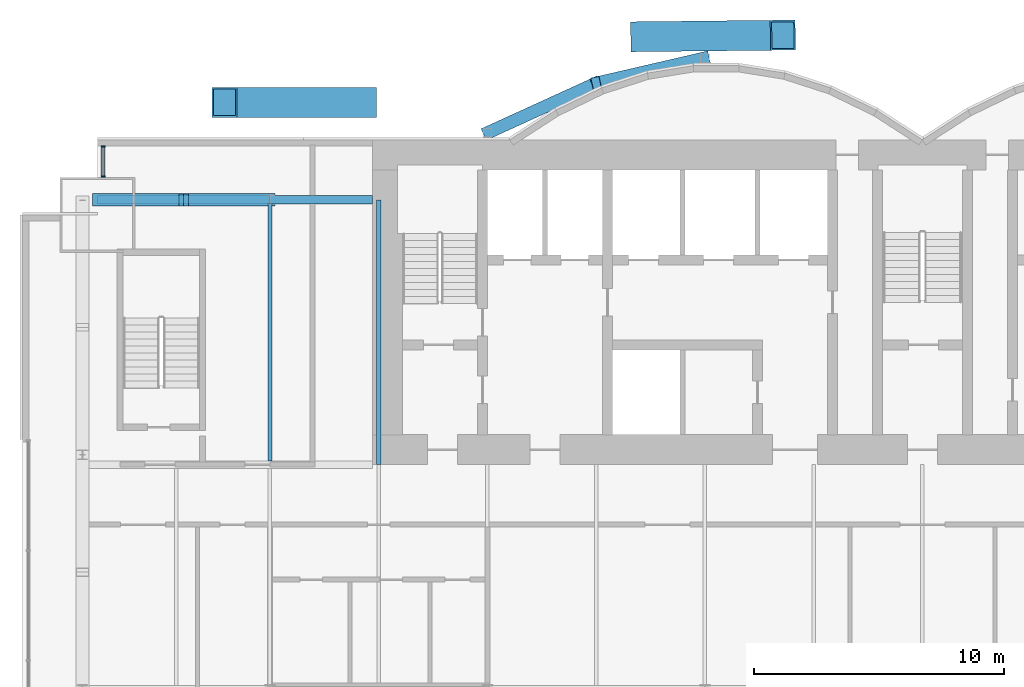
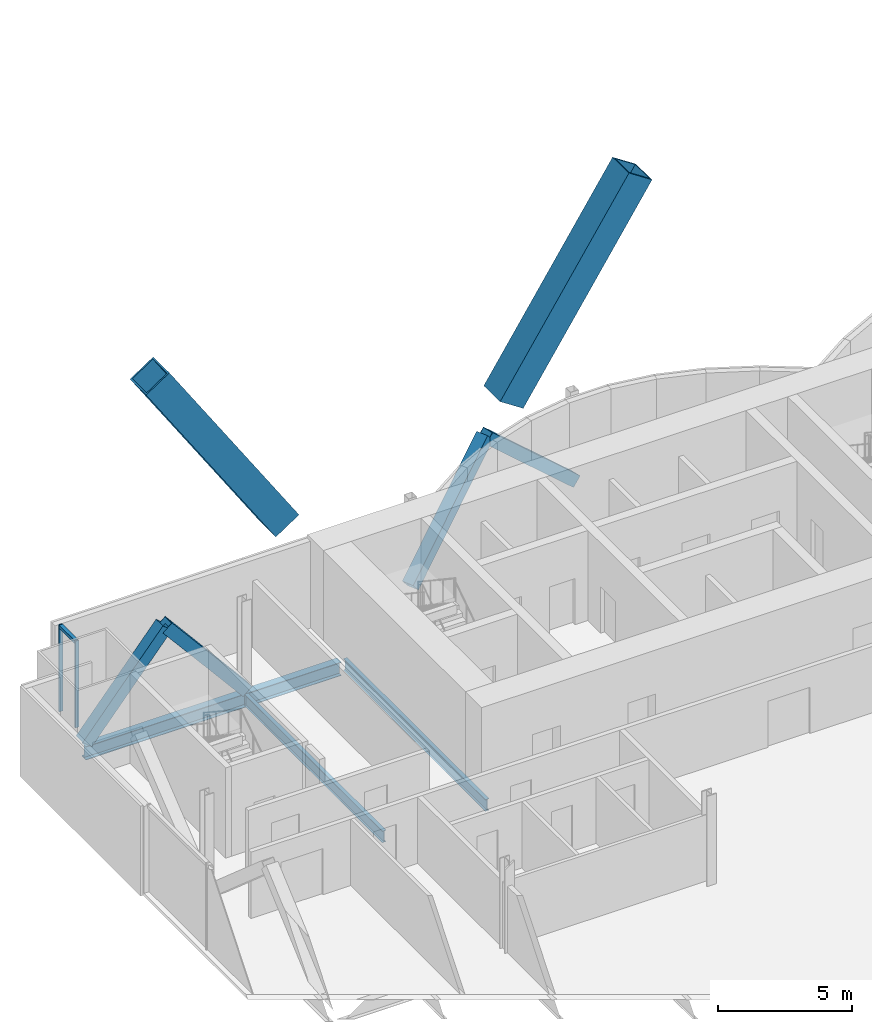
# One storey, part 10 of 21: 9 members, 4 beams, 1 element without a shape of its own.
"""IFC4 building model written with IfcOpenShell, lengths in metres."""

from ifc_helpers import new_model, si_unit, direction, frame, origin, origin_2d, place, context, subcontext, project, spatial, rectangle, hollow_rectangle, i_section, extrude, material, material_profile, profile_set, type_object, element, aggregate, save


model = new_model("IFC4")

# Units and contexts
model_context = context("Model", 3, precision=1e-05, world=origin(), true_north=direction((0.0, 1.0)))
body_context = subcontext(model_context, "Body", "Model", "MODEL_VIEW")
ifc_project = project(units=[si_unit("LENGTHUNIT", "METRE"), si_unit("AREAUNIT", "SQUARE_METRE"), si_unit("VOLUMEUNIT", "CUBIC_METRE"), si_unit("PLANEANGLEUNIT", "RADIAN"), si_unit("MASSUNIT", "GRAM", prefix="KILO")], contexts=[model_context])

# Site, building, storey
site_placement = place(None, origin())
site = spatial("IfcSite", under=ifc_project, at=site_placement, CompositionType="ELEMENT")
building_placement = place(site_placement, origin())
building = spatial("IfcBuilding", under=site, at=building_placement, Name="Bicima Exchange Tower", CompositionType="ELEMENT")
storey_placement = place(building_placement, frame((0.0, 0.0, 118.60009765625)))
storey = spatial("IfcBuildingStorey", under=building, at=storey_placement, Name="L25", CompositionType="ELEMENT", Elevation=118.60009765625)

# Members
ifc_material_1 = material(Name="Steel ASTM A572 Gr 50", Category="steel")
ifc_material_profile_1 = material_profile(ifc_material_1, hollow_rectangle(XDim=1.199951171875, YDim=1.199951171875, WallThickness=0.070068359375, at=origin_2d()))
ifc_profile_set_1 = profile_set([ifc_material_profile_1], Name="Steel ASTM A572 Gr 50")
member_type_1 = type_object("IfcMemberType", Name="Exo mega brace BOX 1200x1200x70", PredefinedType="BRACE", material=ifc_profile_set_1)
member_1_placement = place(storey_placement, frame((-11.166748046875, 4.125, 4.066650390625), z_axis=(0.552803101452, 0.006091227878, 0.833289642302), x_axis=(-0.011018133066, 0.99993929853, 0.0)))
element("IfcMember", 1, at=member_1_placement, inside=storey, type_object=member_type_1, Name="Exo mega brace rear", PredefinedType="BRACE", context=body_context, shape_type="SweptSolid", body=[
    extrude(hollow_rectangle(XDim=1.199951171875, YDim=1.199951171875, WallThickness=0.070068359375, at=origin_2d()), origin(), (0.0, 0.0, 1.0), 10.100341796875),
])
member_2_placement = place(storey_placement, frame((-22.333251953125, 1.5, 4.066650390625), z_axis=(-0.55281335708, 0.0, 0.833305101529), x_axis=(0.0, -1.0, 0.0)))
element("IfcMember", 2, at=member_2_placement, inside=storey, type_object=member_type_1, Name="Exo mega brace rear", PredefinedType="BRACE", context=body_context, shape_type="SweptSolid", body=[
    extrude(hollow_rectangle(XDim=1.199951171875, YDim=1.199951171875, WallThickness=0.070068359375, at=origin_2d()), origin(), (0.0, 0.0, 1.0), 10.10009765625),
])

# Beams
ifc_material_2 = material(Name="Steel ASTM A992 Gr 50", Category="steel")
ifc_material_profile_2 = material_profile(ifc_material_2, i_section(OverallWidth=0.165771484375, OverallDepth=0.5283203125, WebThickness=0.009765625, FlangeThickness=0.013671875, at=origin_2d()))
ifc_profile_set_2 = profile_set([ifc_material_profile_2], Name="Steel ASTM A992 Gr 50")
beam_type_1 = type_object("IfcBeamType", Name="Floor beam W21x50", PredefinedType="JOIST", material=ifc_profile_set_2)
beam_1_placement = place(storey_placement, frame((-26.10009765625, -2.5625, -0.414306640625), z_axis=(0.0, -1.0, 0.0), x_axis=(1.0, 0.0, 0.0)))
element("IfcBeam", 3, at=beam_1_placement, inside=storey, type_object=beam_type_1, Name="Floor beam", PredefinedType="JOIST", context=body_context, shape_type="SweptSolid", body=[
    extrude(i_section(OverallWidth=0.165771484375, OverallDepth=0.5283203125, WebThickness=0.009765625, FlangeThickness=0.013671875, at=origin_2d()), origin(), (0.0, 0.0, 1.0), 10.28515625),
])
beam_2_placement = place(storey_placement, frame((-21.75, -2.39990234375, -0.414306640625), z_axis=(0.0, -1.0, 0.0), x_axis=(1.0, 0.0, 0.0)))
element("IfcBeam", 4, at=beam_2_placement, inside=storey, type_object=beam_type_1, Name="Floor beam", PredefinedType="JOIST", context=body_context, shape_type="SweptSolid", body=[
    extrude(i_section(OverallWidth=0.165771484375, OverallDepth=0.5283203125, WebThickness=0.009765625, FlangeThickness=0.013671875, at=origin_2d()), origin(), (0.0, 0.0, 1.0), 10.60009765625),
])

# Curtain wall, members
ifc_material_3 = material(Name="Anodised bronze aluminium", Category="aluminium")
curtain_wall_type = type_object("IfcCurtainWallType", Name="Front glass wall", PredefinedType="NOTDEFINED", material=ifc_material_3)
curtain_wall_placement = place(storey_placement, origin())
curtain_wall = element("IfcCurtainWall", 5, at=curtain_wall_placement, inside=storey, type_object=curtain_wall_type, Name="Front glass wall L25 run 1", PredefinedType="NOTDEFINED")
ifc_material_profile_3 = material_profile(ifc_material_3, rectangle(XDim=0.159912109375, YDim=0.06005859375, at=origin_2d()))
ifc_profile_set_3 = profile_set([ifc_material_profile_3], Name="Anodised bronze aluminium")
member_type_2 = type_object("IfcMemberType", Name="Front glass wall mullion 60 x 160", PredefinedType="MULLION", material=ifc_profile_set_3)
member_3_placement = place(storey_placement, frame((-32.77001953125, -0.260009765625, 0.0), z_axis=(0.0, 0.0, 1.0), x_axis=(1.0, 0.0, 0.0)))
member_3 = element("IfcMember", 6, at=member_3_placement, type_object=member_type_2, Name="Front glass wall mullion 1", PredefinedType="MULLION", context=body_context, shape_type="SweptSolid", body=[
    extrude(rectangle(XDim=0.159912109375, YDim=0.06005859375, at=origin_2d()), origin(), (0.0, 0.0, 1.0), 3.949951171875),
])
member_4_placement = place(storey_placement, frame((-32.77001953125, -1.469970703125, 0.0), z_axis=(0.0, 0.0, 1.0), x_axis=(1.0, 0.0, 0.0)))
member_4 = element("IfcMember", 7, at=member_4_placement, type_object=member_type_2, Name="Front glass wall mullion 2", PredefinedType="MULLION", context=body_context, shape_type="SweptSolid", body=[
    extrude(rectangle(XDim=0.159912109375, YDim=0.06005859375, at=origin_2d()), origin(), (0.0, 0.0, 1.0), 3.949951171875),
])
ifc_material_profile_4 = material_profile(ifc_material_3, rectangle(XDim=0.159912109375, YDim=0.139892578125, at=origin_2d()))
ifc_profile_set_4 = profile_set([ifc_material_profile_4], Name="Anodised bronze aluminium")
member_type_3 = type_object("IfcMemberType", Name="Front glass wall transom 140 x 160", PredefinedType="USERDEFINED", material=ifc_profile_set_4)
member_5_placement = place(storey_placement, frame((-32.77001953125, -0.2900390625, 3.8798828125), z_axis=(0.0, -1.0, 0.0), x_axis=(1.0, 0.0, 0.0)))
member_5 = element("IfcMember", 8, at=member_5_placement, type_object=member_type_3, Name="Front glass wall transom 1.1", ObjectType="TRANSOM", PredefinedType="USERDEFINED", context=body_context, shape_type="SweptSolid", body=[
    extrude(rectangle(XDim=0.159912109375, YDim=0.139892578125, at=origin_2d()), origin(), (0.0, 0.0, 1.0), 1.14990234375),
])
aggregate(curtain_wall, [member_3, member_4, member_5])

# Members
ifc_material_profile_5 = material_profile(ifc_material_1, hollow_rectangle(XDim=0.508056640625, YDim=0.508056640625, WallThickness=0.0146484375, at=origin_2d()))
ifc_profile_set_5 = profile_set([ifc_material_profile_5], Name="Steel ASTM A572 Gr 50")
member_type_4 = type_object("IfcMemberType", Name="Mega brace HSS20x20x5/8", PredefinedType="BRACE", material=ifc_profile_set_5)
member_6_placement = place(storey_placement, frame((-17.39990234375, 0.278076171875, 0.0), z_axis=(0.690646390594, 0.3150684101, 0.650952732629), x_axis=(-0.415045223819, 0.909800781592, 0.0)))
element("IfcMember", 9, at=member_6_placement, inside=storey, type_object=member_type_4, Name="Mega brace rexo", PredefinedType="BRACE", context=body_context, shape_type="SweptSolid", body=[
    extrude(hollow_rectangle(XDim=0.508056640625, YDim=0.508056640625, WallThickness=0.0146484375, at=origin_2d()), origin(), (0.0, 0.0, 1.0), 6.29833984375),
])
member_7_placement = place(storey_placement, frame((-8.699951171875, 3.26904296875, 0.0), z_axis=(-0.717625168184, -0.166055032463, 0.676342993002), x_axis=(0.225438503722, -0.974257399787, 0.0)))
element("IfcMember", 10, at=member_7_placement, inside=storey, type_object=member_type_4, Name="Mega brace rexo", PredefinedType="BRACE", context=body_context, shape_type="SweptSolid", body=[
    extrude(hollow_rectangle(XDim=0.508056640625, YDim=0.508056640625, WallThickness=0.0146484375, at=origin_2d()), origin(), (0.0, 0.0, 1.0), 6.061767578125),
])
for number, where, z_axis, x_axis, name in (
    (11, (-33.0, -2.39990234375, 0.0), (0.643856488545, 0.0, 0.765146275008), (0.0, 1.0, 0.0), "Mega brace rear"),
    (12, (-26.10009765625, -2.39990234375, 0.0), (-0.643856488545, 0.0, 0.765146275008), (0.0, -1.0, 0.0), "Mega brace rear"),
):
    element("IfcMember", number, at=place(storey_placement, frame(where, z_axis=z_axis, x_axis=x_axis)), inside=storey, type_object=member_type_4, Name=name, PredefinedType="BRACE", context=body_context, shape_type="SweptSolid", body=[
        extrude(hollow_rectangle(XDim=0.508056640625, YDim=0.508056640625, WallThickness=0.0146484375, at=origin_2d()), origin(), (0.0, 0.0, 1.0), 5.358154296875),
    ])

# Beams
ifc_material_profile_6 = material_profile(ifc_material_2, i_section(OverallWidth=0.3251953125, OverallDepth=0.612060546875, WebThickness=0.0126953125, FlangeThickness=0.01904296875, at=origin_2d()))
ifc_profile_set_6 = profile_set([ifc_material_profile_6], Name="Steel ASTM A992 Gr 50")
beam_type_2 = type_object("IfcBeamType", Name="Rear girder W24x104", PredefinedType="BEAM", material=ifc_profile_set_6)
beam_3_placement = place(storey_placement, frame((-22.0, -2.39990234375, -0.456298828125), z_axis=(-1.0, 0.0, 0.0), x_axis=(0.0, -1.0, 0.0)))
element("IfcBeam", 13, at=beam_3_placement, inside=storey, type_object=beam_type_2, Name="Rear girder", PredefinedType="BEAM", context=body_context, shape_type="SweptSolid", body=[
    extrude(i_section(OverallWidth=0.3251953125, OverallDepth=0.612060546875, WebThickness=0.0126953125, FlangeThickness=0.01904296875, at=origin_2d()), origin(), (0.0, 0.0, 1.0), 4.10009765625),
])
beam_4_placement = place(storey_placement, frame((-26.10009765625, -2.39990234375, -0.456298828125), z_axis=(-1.0, 0.0, 0.0), x_axis=(0.0, -1.0, 0.0)))
element("IfcBeam", 14, at=beam_4_placement, inside=storey, type_object=beam_type_2, Name="Rear girder", PredefinedType="BEAM", context=body_context, shape_type="SweptSolid", body=[
    extrude(i_section(OverallWidth=0.3251953125, OverallDepth=0.612060546875, WebThickness=0.0126953125, FlangeThickness=0.01904296875, at=origin_2d()), origin(), (0.0, 0.0, 1.0), 6.89990234375),
])

save(model, "model.ifc")
